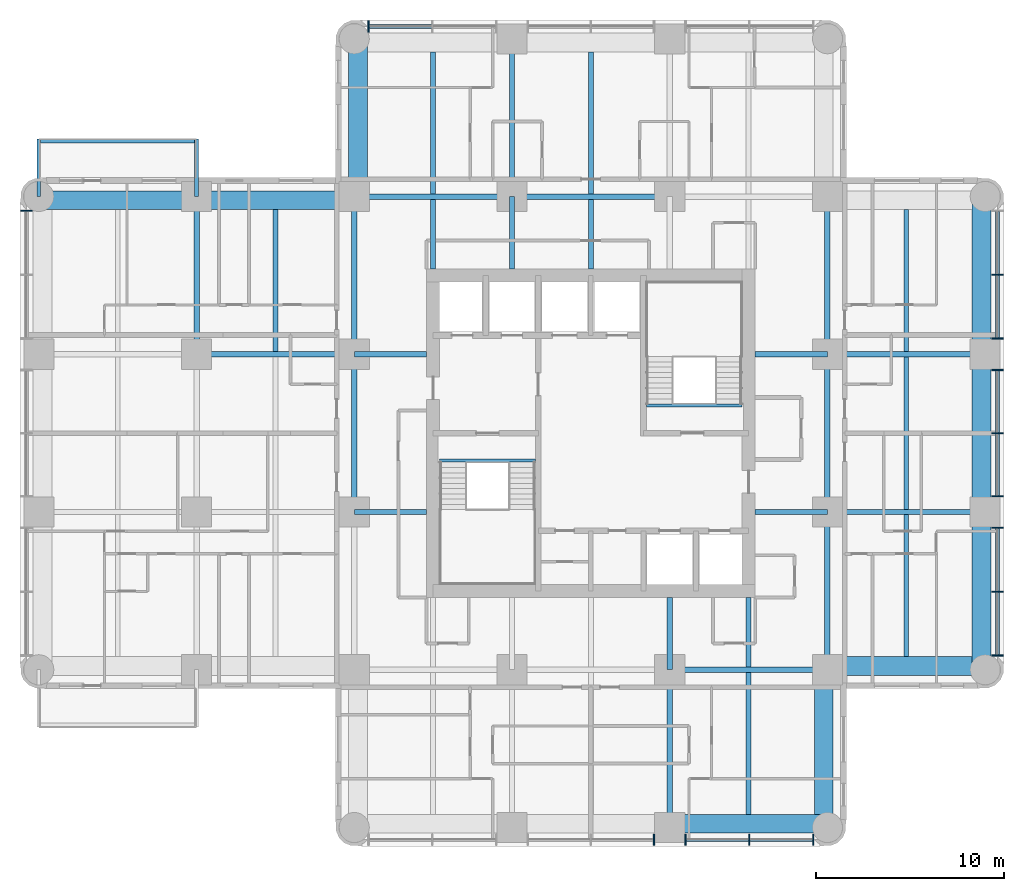
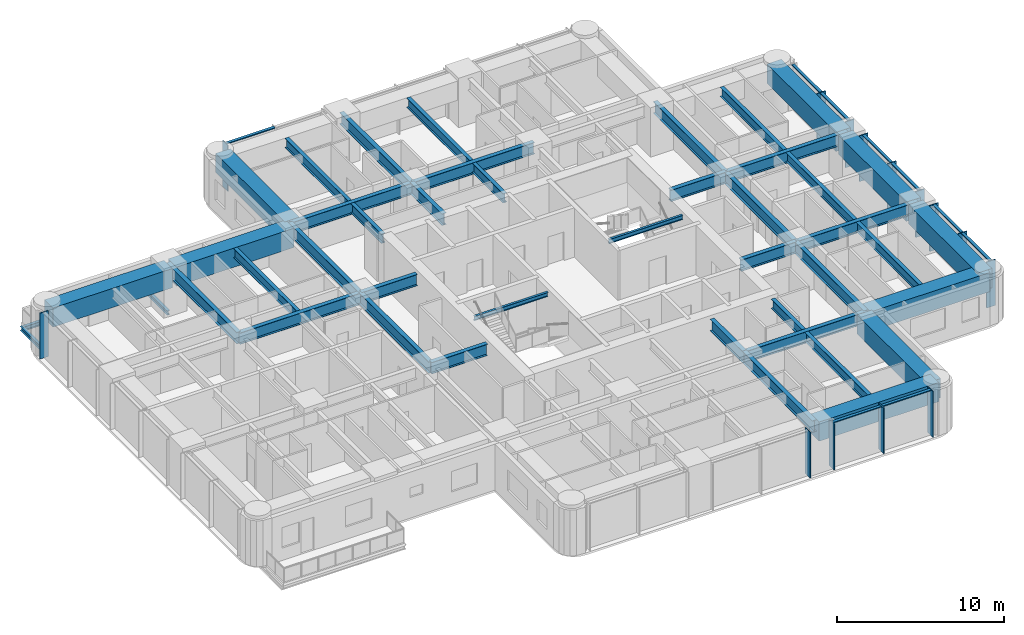
# One storey, part 2 of 11: 44 beams, 23 members, 4 elements without a shape of their own.
"""IFC4 building model written with IfcOpenShell, lengths in metres."""

from ifc_helpers import new_model, si_unit, direction, frame, origin, origin_2d, place, context, subcontext, project, spatial, rectangle, i_section, extrude, material, material_profile, profile_set, type_object, element, aggregate, save


model = new_model("IFC4")

# Units and contexts
model_context = context("Model", 3, precision=1e-05, world=origin(), true_north=direction((0.0, 1.0)))
body_context = subcontext(model_context, "Body", "Model", "MODEL_VIEW")
ifc_project = project(units=[si_unit("LENGTHUNIT", "METRE"), si_unit("AREAUNIT", "SQUARE_METRE"), si_unit("VOLUMEUNIT", "CUBIC_METRE"), si_unit("PLANEANGLEUNIT", "RADIAN"), si_unit("MASSUNIT", "GRAM", prefix="KILO")], contexts=[model_context])

# Site, building, storey
site_placement = place(None, origin())
site = spatial("IfcSite", under=ifc_project, at=site_placement, CompositionType="ELEMENT")
building_placement = place(site_placement, origin())
building = spatial("IfcBuilding", under=site, at=building_placement, Name="Torre Alcanfor", CompositionType="ELEMENT")
storey_placement = place(building_placement, frame((0.0, 0.0, 244.5)))
storey = spatial("IfcBuildingStorey", under=building, at=storey_placement, Name="L64", CompositionType="ELEMENT", Elevation=244.5)

# Beams
ifc_material_1 = material(Name="Steel ASTM A992 Grade 50", Category="steel")
ifc_material_profile_1 = material_profile(ifc_material_1, i_section(OverallWidth=0.205322265625, OverallDepth=0.309814453125, WebThickness=0.00927734375, FlangeThickness=0.016357421875, at=origin_2d()), Name="W12x50")
ifc_profile_set_1 = profile_set([ifc_material_profile_1], Name="Steel ASTM A992 Grade 50")
beam_type_1 = type_object("IfcBeamType", Name="Balcony cantilever beam W12x50", PredefinedType="BEAM", material=ifc_profile_set_1)
for number, where, z_axis, x_axis, name in (
    (1, (8.39990234375, 42.0, -0.35498046875), (0.0, 1.0, 0.0), (-1.0, 0.0, 0.0), "Balcony cantilever beam L64-W2 1"),
    (2, (0.0, 42.0, -0.35498046875), (0.0, 1.0, 0.0), (-1.0, 0.0, 0.0), "Balcony cantilever beam L64-W2 2"),
):
    element("IfcBeam", number, at=place(storey_placement, frame(where, z_axis=z_axis, x_axis=x_axis)), inside=storey, type_object=beam_type_1, Name=name, PredefinedType="BEAM", context=body_context, shape_type="SweptSolid", body=[
        extrude(i_section(OverallWidth=0.205322265625, OverallDepth=0.309814453125, WebThickness=0.00927734375, FlangeThickness=0.016357421875, at=origin_2d()), origin(), (0.0, 0.0, 1.0), 3.050048828125),
    ])
ifc_material_2 = material(Name="Steel ASTM A992 Grade 50", Category="steel")
ifc_material_profile_2 = material_profile(ifc_material_2, i_section(OverallWidth=0.203369140625, OverallDepth=0.30224609375, WebThickness=0.007568359375, FlangeThickness=0.01318359375, at=origin_2d()), Name="W12x40")
ifc_profile_set_2 = profile_set([ifc_material_profile_2], Name="Steel ASTM A992 Grade 50")
beam_type_2 = type_object("IfcBeamType", Name="Balcony edge trimmer W12x40", PredefinedType="BEAM", material=ifc_profile_set_2)
beam_1_placement = place(storey_placement, frame((8.39990234375, 44.9482421875, -0.35107421875), z_axis=(-1.0, 0.0, 0.0), x_axis=(0.0, -1.0, 0.0)))
element("IfcBeam", 3, at=beam_1_placement, inside=storey, type_object=beam_type_2, Name="Balcony edge trimmer L64-W2", PredefinedType="BEAM", context=body_context, shape_type="SweptSolid", body=[
    extrude(i_section(OverallWidth=0.203369140625, OverallDepth=0.30224609375, WebThickness=0.007568359375, FlangeThickness=0.01318359375, at=origin_2d()), origin(), (0.0, 0.0, 1.0), 8.39990234375),
])

# Curtain wall, member
ifc_material_3 = material(Name="Aluminium and glass", Category="aluminium")
curtain_wall_type = type_object("IfcCurtainWallType", Name="CW-A unitised apartment glazing with vertical FIN", PredefinedType="NOTDEFINED", material=ifc_material_3)
curtain_wall_1_placement = place(storey_placement, origin())
curtain_wall_1 = element("IfcCurtainWall", 4, at=curtain_wall_1_placement, inside=storey, type_object=curtain_wall_type, Name="Curtain wall CW-A L64 2", PredefinedType="NOTDEFINED")
ifc_material_4 = material(Name="Bronze anodised aluminium", Category="aluminium")
ifc_material_profile_3 = material_profile(ifc_material_4, rectangle(XDim=0.60009765625, YDim=0.06494140625, at=origin_2d()), Name="CW-A mullion 65x600")
ifc_profile_set_3 = profile_set([ifc_material_profile_3], Name="Bronze anodised aluminium")
member_type_1 = type_object("IfcMemberType", Name="CW-A mullion with vertical FIN 65x600", PredefinedType="MULLION", material=ifc_profile_set_3)
member_1_placement = place(storey_placement, frame((-0.64990234375, 41.24267578125, 0.0), z_axis=(0.0, 0.0, 1.0), x_axis=(1.0, 0.0, 0.0)))
member_1 = element("IfcMember", 5, at=member_1_placement, type_object=member_type_1, Name="CW-A mullion 1.1", PredefinedType="MULLION", context=body_context, shape_type="SweptSolid", body=[
    extrude(rectangle(XDim=0.60009765625, YDim=0.06494140625, at=origin_2d()), origin(), (0.0, 0.0, 1.0), 3.35009765625),
])
aggregate(curtain_wall_1, [member_1])

# Curtain wall, members
curtain_wall_2_placement = place(storey_placement, origin())
curtain_wall_2 = element("IfcCurtainWall", 6, at=curtain_wall_2_placement, inside=storey, type_object=curtain_wall_type, Name="Curtain wall CW-A L64 5", PredefinedType="NOTDEFINED")
member_2_placement = place(storey_placement, frame((32.762451171875, 7.75, 0.0), z_axis=(0.0, 0.0, 1.0), x_axis=(0.0, 1.0, 0.0)))
member_2 = element("IfcMember", 7, at=member_2_placement, type_object=member_type_1, Name="CW-A mullion 2.3", PredefinedType="MULLION", context=body_context, shape_type="SweptSolid", body=[
    extrude(rectangle(XDim=0.60009765625, YDim=0.06494140625, at=origin_2d()), origin(), (0.0, 0.0, 1.0), 3.35009765625),
])
member_3_placement = place(storey_placement, frame((34.4375, 7.75, 0.0), z_axis=(0.0, 0.0, 1.0), x_axis=(0.0, 1.0, 0.0)))
member_3 = element("IfcMember", 8, at=member_3_placement, type_object=member_type_1, Name="CW-A mullion 3.1", PredefinedType="MULLION", context=body_context, shape_type="SweptSolid", body=[
    extrude(rectangle(XDim=0.60009765625, YDim=0.06494140625, at=origin_2d()), origin(), (0.0, 0.0, 1.0), 3.35009765625),
])
member_4_placement = place(storey_placement, frame((37.840087890625, 7.75, 0.0), z_axis=(0.0, 0.0, 1.0), x_axis=(0.0, 1.0, 0.0)))
member_4 = element("IfcMember", 9, at=member_4_placement, type_object=member_type_1, Name="CW-A mullion 3.2", PredefinedType="MULLION", context=body_context, shape_type="SweptSolid", body=[
    extrude(rectangle(XDim=0.60009765625, YDim=0.06494140625, at=origin_2d()), origin(), (0.0, 0.0, 1.0), 3.35009765625),
])
member_5_placement = place(storey_placement, frame((41.24267578125, 7.75, 0.0), z_axis=(0.0, 0.0, 1.0), x_axis=(0.0, 1.0, 0.0)))
member_5 = element("IfcMember", 10, at=member_5_placement, type_object=member_type_1, Name="CW-A mullion 3.3", PredefinedType="MULLION", context=body_context, shape_type="SweptSolid", body=[
    extrude(rectangle(XDim=0.60009765625, YDim=0.06494140625, at=origin_2d()), origin(), (0.0, 0.0, 1.0), 3.35009765625),
])

curtain_wall_3_placement = place(storey_placement, origin())
curtain_wall_3 = element("IfcCurtainWall", 11, at=curtain_wall_3_placement, inside=storey, type_object=curtain_wall_type, Name="Curtain wall CW-A L64 8", PredefinedType="NOTDEFINED")
member_6_placement = place(storey_placement, frame((51.050048828125, 17.557373046875, 0.0), z_axis=(0.0, 0.0, 1.0), x_axis=(-1.0, 0.0, 0.0)))
member_6 = element("IfcMember", 12, at=member_6_placement, type_object=member_type_1, Name="CW-A mullion 1.1", PredefinedType="MULLION", context=body_context, shape_type="SweptSolid", body=[
    extrude(rectangle(XDim=0.60009765625, YDim=0.06494140625, at=origin_2d()), origin(), (0.0, 0.0, 1.0), 3.35009765625),
])
member_7_placement = place(storey_placement, frame((51.050048828125, 20.9599609375, 0.0), z_axis=(0.0, 0.0, 1.0), x_axis=(-1.0, 0.0, 0.0)))
member_7 = element("IfcMember", 13, at=member_7_placement, type_object=member_type_1, Name="CW-A mullion 1.2", PredefinedType="MULLION", context=body_context, shape_type="SweptSolid", body=[
    extrude(rectangle(XDim=0.60009765625, YDim=0.06494140625, at=origin_2d()), origin(), (0.0, 0.0, 1.0), 3.35009765625),
])
member_8_placement = place(storey_placement, frame((51.050048828125, 24.362548828125, 0.0), z_axis=(0.0, 0.0, 1.0), x_axis=(-1.0, 0.0, 0.0)))
member_8 = element("IfcMember", 14, at=member_8_placement, type_object=member_type_1, Name="CW-A mullion 1.3", PredefinedType="MULLION", context=body_context, shape_type="SweptSolid", body=[
    extrude(rectangle(XDim=0.60009765625, YDim=0.06494140625, at=origin_2d()), origin(), (0.0, 0.0, 1.0), 3.35009765625),
])
member_9_placement = place(storey_placement, frame((51.050048828125, 26.03759765625, 0.0), z_axis=(0.0, 0.0, 1.0), x_axis=(-1.0, 0.0, 0.0)))
member_9 = element("IfcMember", 15, at=member_9_placement, type_object=member_type_1, Name="CW-A mullion 2.1", PredefinedType="MULLION", context=body_context, shape_type="SweptSolid", body=[
    extrude(rectangle(XDim=0.60009765625, YDim=0.06494140625, at=origin_2d()), origin(), (0.0, 0.0, 1.0), 3.35009765625),
])
member_10_placement = place(storey_placement, frame((51.050048828125, 29.39990234375, 0.0), z_axis=(0.0, 0.0, 1.0), x_axis=(-1.0, 0.0, 0.0)))
member_10 = element("IfcMember", 16, at=member_10_placement, type_object=member_type_1, Name="CW-A mullion 2.2", PredefinedType="MULLION", context=body_context, shape_type="SweptSolid", body=[
    extrude(rectangle(XDim=0.60009765625, YDim=0.06494140625, at=origin_2d()), origin(), (0.0, 0.0, 1.0), 3.35009765625),
])
member_11_placement = place(storey_placement, frame((51.050048828125, 32.762451171875, 0.0), z_axis=(0.0, 0.0, 1.0), x_axis=(-1.0, 0.0, 0.0)))
member_11 = element("IfcMember", 17, at=member_11_placement, type_object=member_type_1, Name="CW-A mullion 2.3", PredefinedType="MULLION", context=body_context, shape_type="SweptSolid", body=[
    extrude(rectangle(XDim=0.60009765625, YDim=0.06494140625, at=origin_2d()), origin(), (0.0, 0.0, 1.0), 3.35009765625),
])
member_12_placement = place(storey_placement, frame((51.050048828125, 34.4375, 0.0), z_axis=(0.0, 0.0, 1.0), x_axis=(-1.0, 0.0, 0.0)))
member_12 = element("IfcMember", 18, at=member_12_placement, type_object=member_type_1, Name="CW-A mullion 3.1", PredefinedType="MULLION", context=body_context, shape_type="SweptSolid", body=[
    extrude(rectangle(XDim=0.60009765625, YDim=0.06494140625, at=origin_2d()), origin(), (0.0, 0.0, 1.0), 3.35009765625),
])
member_13_placement = place(storey_placement, frame((51.050048828125, 37.840087890625, 0.0), z_axis=(0.0, 0.0, 1.0), x_axis=(-1.0, 0.0, 0.0)))
member_13 = element("IfcMember", 19, at=member_13_placement, type_object=member_type_1, Name="CW-A mullion 3.2", PredefinedType="MULLION", context=body_context, shape_type="SweptSolid", body=[
    extrude(rectangle(XDim=0.60009765625, YDim=0.06494140625, at=origin_2d()), origin(), (0.0, 0.0, 1.0), 3.35009765625),
])

# Curtain wall, member
curtain_wall_4_placement = place(storey_placement, origin())
curtain_wall_4 = element("IfcCurtainWall", 20, at=curtain_wall_4_placement, inside=storey, type_object=curtain_wall_type, Name="Curtain wall CW-A L64 11", PredefinedType="NOTDEFINED")
member_14_placement = place(storey_placement, frame((17.557373046875, 51.050048828125, 0.0), z_axis=(0.0, 0.0, 1.0), x_axis=(0.0, -1.0, 0.0)))
member_14 = element("IfcMember", 21, at=member_14_placement, type_object=member_type_1, Name="CW-A mullion 3.3", PredefinedType="MULLION", context=body_context, shape_type="SweptSolid", body=[
    extrude(rectangle(XDim=0.60009765625, YDim=0.06494140625, at=origin_2d()), origin(), (0.0, 0.0, 1.0), 3.35009765625),
])

# Member
ifc_material_5 = material(Name="Extruded aluminium", Category="aluminium")
ifc_material_profile_4 = material_profile(ifc_material_5, rectangle(XDim=0.199951171875, YDim=0.06494140625, at=origin_2d()), Name="CW-A transom 200x65")
ifc_profile_set_4 = profile_set([ifc_material_profile_4], Name="Extruded aluminium")
member_type_2 = type_object("IfcMemberType", Name="CW-A transom 65x200", PredefinedType="USERDEFINED", material=ifc_profile_set_4)
member_15_placement = place(storey_placement, frame((34.469970703125, 7.75, 3.3173828125), z_axis=(1.0, 0.0, 0.0), x_axis=(0.0, 1.0, 0.0)))
member_15 = element("IfcMember", 22, at=member_15_placement, type_object=member_type_2, Name="CW-A transom 3.1.2", ObjectType="TRANSOM", PredefinedType="USERDEFINED", context=body_context, shape_type="SweptSolid", body=[
    extrude(rectangle(XDim=0.199951171875, YDim=0.06494140625, at=origin_2d()), origin(), (0.0, 0.0, 1.0), 3.337646484375),
])

member_16_placement = place(storey_placement, frame((37.87255859375, 7.75, 3.3173828125), z_axis=(1.0, 0.0, 0.0), x_axis=(0.0, 1.0, 0.0)))
member_16 = element("IfcMember", 23, at=member_16_placement, type_object=member_type_2, Name="CW-A transom 3.2.2", ObjectType="TRANSOM", PredefinedType="USERDEFINED", context=body_context, shape_type="SweptSolid", body=[
    extrude(rectangle(XDim=0.199951171875, YDim=0.06494140625, at=origin_2d()), origin(), (0.0, 0.0, 1.0), 3.337646484375),
])

aggregate(curtain_wall_2, [member_2, member_3, member_4, member_5, member_15, member_16])

member_17_placement = place(storey_placement, frame((51.050048828125, 17.58984375, 3.3173828125), z_axis=(0.0, 1.0, 0.0), x_axis=(-1.0, 0.0, 0.0)))
member_17 = element("IfcMember", 24, at=member_17_placement, type_object=member_type_2, Name="CW-A transom 1.1.2", ObjectType="TRANSOM", PredefinedType="USERDEFINED", context=body_context, shape_type="SweptSolid", body=[
    extrude(rectangle(XDim=0.199951171875, YDim=0.06494140625, at=origin_2d()), origin(), (0.0, 0.0, 1.0), 3.337646484375),
])

member_18_placement = place(storey_placement, frame((51.050048828125, 20.992431640625, 3.3173828125), z_axis=(0.0, 1.0, 0.0), x_axis=(-1.0, 0.0, 0.0)))
member_18 = element("IfcMember", 25, at=member_18_placement, type_object=member_type_2, Name="CW-A transom 1.2.2", ObjectType="TRANSOM", PredefinedType="USERDEFINED", context=body_context, shape_type="SweptSolid", body=[
    extrude(rectangle(XDim=0.199951171875, YDim=0.06494140625, at=origin_2d()), origin(), (0.0, 0.0, 1.0), 3.337646484375),
])

member_19_placement = place(storey_placement, frame((51.050048828125, 26.070068359375, 3.3173828125), z_axis=(0.0, 1.0, 0.0), x_axis=(-1.0, 0.0, 0.0)))
member_19 = element("IfcMember", 26, at=member_19_placement, type_object=member_type_2, Name="CW-A transom 2.1.2", ObjectType="TRANSOM", PredefinedType="USERDEFINED", context=body_context, shape_type="SweptSolid", body=[
    extrude(rectangle(XDim=0.199951171875, YDim=0.06494140625, at=origin_2d()), origin(), (0.0, 0.0, 1.0), 3.29736328125),
])

member_20_placement = place(storey_placement, frame((51.050048828125, 29.4326171875, 3.3173828125), z_axis=(0.0, 1.0, 0.0), x_axis=(-1.0, 0.0, 0.0)))
member_20 = element("IfcMember", 27, at=member_20_placement, type_object=member_type_2, Name="CW-A transom 2.2.2", ObjectType="TRANSOM", PredefinedType="USERDEFINED", context=body_context, shape_type="SweptSolid", body=[
    extrude(rectangle(XDim=0.199951171875, YDim=0.06494140625, at=origin_2d()), origin(), (0.0, 0.0, 1.0), 3.29736328125),
])

member_21_placement = place(storey_placement, frame((51.050048828125, 34.469970703125, 3.3173828125), z_axis=(0.0, 1.0, 0.0), x_axis=(-1.0, 0.0, 0.0)))
member_21 = element("IfcMember", 28, at=member_21_placement, type_object=member_type_2, Name="CW-A transom 3.1.2", ObjectType="TRANSOM", PredefinedType="USERDEFINED", context=body_context, shape_type="SweptSolid", body=[
    extrude(rectangle(XDim=0.199951171875, YDim=0.06494140625, at=origin_2d()), origin(), (0.0, 0.0, 1.0), 3.337646484375),
])

member_22_placement = place(storey_placement, frame((51.050048828125, 37.87255859375, 3.3173828125), z_axis=(0.0, 1.0, 0.0), x_axis=(-1.0, 0.0, 0.0)))
member_22 = element("IfcMember", 29, at=member_22_placement, type_object=member_type_2, Name="CW-A transom 3.2.2", ObjectType="TRANSOM", PredefinedType="USERDEFINED", context=body_context, shape_type="SweptSolid", body=[
    extrude(rectangle(XDim=0.199951171875, YDim=0.06494140625, at=origin_2d()), origin(), (0.0, 0.0, 1.0), 3.337646484375),
])

aggregate(curtain_wall_3, [member_6, member_7, member_8, member_17, member_18, member_9, member_10, member_11, member_19, member_20, member_12, member_13, member_21, member_22])

member_23_placement = place(storey_placement, frame((20.927490234375, 51.050048828125, 3.3173828125), z_axis=(-1.0, 0.0, 0.0), x_axis=(0.0, -1.0, 0.0)))
member_23 = element("IfcMember", 30, at=member_23_placement, type_object=member_type_2, Name="CW-A transom 3.2.2", ObjectType="TRANSOM", PredefinedType="USERDEFINED", context=body_context, shape_type="SweptSolid", body=[
    extrude(rectangle(XDim=0.199951171875, YDim=0.06494140625, at=origin_2d()), origin(), (0.0, 0.0, 1.0), 3.337646484375),
])

aggregate(curtain_wall_4, [member_14, member_23])

# Beams
ifc_material_6 = material(Name="Steel ASTM A992 Grade 50", Category="steel")
ifc_material_profile_5 = material_profile(ifc_material_6, i_section(OverallWidth=0.2919921875, OverallDepth=0.8408203125, WebThickness=0.0146484375, FlangeThickness=0.021728515625, at=origin_2d()), Name="W33x130")
ifc_profile_set_5 = profile_set([ifc_material_profile_5], Name="Steel ASTM A992 Grade 50")
beam_type_3 = type_object("IfcBeamType", Name="Girder W33x130", PredefinedType="BEAM", material=ifc_profile_set_5)
for number, where, z_axis, x_axis, name in (
    (31, (33.60009765625, 16.800048828125, 2.9296875), (1.0, 0.0, 0.0), (0.0, 1.0, 0.0), "Beam 5E-6E under L65"),
    (32, (42.0, 25.199951171875, 2.9296875), (1.0, 0.0, 0.0), (0.0, 1.0, 0.0), "Beam 6F-7F under L65"),
):
    element("IfcBeam", number, at=place(storey_placement, frame(where, z_axis=z_axis, x_axis=x_axis)), inside=storey, type_object=beam_type_3, Name=name, PredefinedType="BEAM", context=body_context, shape_type="SweptSolid", body=[
        extrude(i_section(OverallWidth=0.2919921875, OverallDepth=0.8408203125, WebThickness=0.0146484375, FlangeThickness=0.021728515625, at=origin_2d()), origin(), (0.0, 0.0, 1.0), 8.39990234375),
    ])
beam_2_placement = place(storey_placement, frame((8.39990234375, 33.60009765625, 2.9296875), z_axis=(1.0, 0.0, 0.0), x_axis=(0.0, 1.0, 0.0)))
element("IfcBeam", 33, at=beam_2_placement, inside=storey, type_object=beam_type_3, Name="Beam 2G-3G under L65", PredefinedType="BEAM", context=body_context, shape_type="SweptSolid", body=[
    extrude(i_section(OverallWidth=0.2919921875, OverallDepth=0.8408203125, WebThickness=0.0146484375, FlangeThickness=0.021728515625, at=origin_2d()), origin(), (0.0, 0.0, 1.0), 8.400146484375),
])
for number, where, z_axis, x_axis, name in (
    (34, (42.0, 33.60009765625, 2.9296875), (1.0, 0.0, 0.0), (0.0, 1.0, 0.0), "Beam 6G-7G under L65"),
    (35, (16.800048828125, 42.0, 2.9296875), (1.0, 0.0, 0.0), (0.0, 1.0, 0.0), "Beam 3H-4H under L65"),
):
    element("IfcBeam", number, at=place(storey_placement, frame(where, z_axis=z_axis, x_axis=x_axis)), inside=storey, type_object=beam_type_3, Name=name, PredefinedType="BEAM", context=body_context, shape_type="SweptSolid", body=[
        extrude(i_section(OverallWidth=0.2919921875, OverallDepth=0.8408203125, WebThickness=0.0146484375, FlangeThickness=0.021728515625, at=origin_2d()), origin(), (0.0, 0.0, 1.0), 8.39990234375),
    ])
beam_3_placement = place(storey_placement, frame((25.199951171875, 42.0, 2.9296875), z_axis=(1.0, 0.0, 0.0), x_axis=(0.0, 1.0, 0.0)))
element("IfcBeam", 36, at=beam_3_placement, inside=storey, type_object=beam_type_3, Name="Beam 4H-5H under L65", PredefinedType="BEAM", context=body_context, shape_type="SweptSolid", body=[
    extrude(i_section(OverallWidth=0.2919921875, OverallDepth=0.8408203125, WebThickness=0.0146484375, FlangeThickness=0.021728515625, at=origin_2d()), origin(), (0.0, 0.0, 1.0), 8.400146484375),
])
beam_4_placement = place(storey_placement, frame((8.39990234375, 33.60009765625, 2.9296875), z_axis=(0.0, 1.0, 0.0), x_axis=(-1.0, 0.0, 0.0)))
element("IfcBeam", 37, at=beam_4_placement, inside=storey, type_object=beam_type_3, Name="Beam 2G-2H under L65", PredefinedType="BEAM", context=body_context, shape_type="SweptSolid", body=[
    extrude(i_section(OverallWidth=0.2919921875, OverallDepth=0.8408203125, WebThickness=0.0146484375, FlangeThickness=0.021728515625, at=origin_2d()), origin(), (0.0, 0.0, 1.0), 8.39990234375),
])
beam_5_placement = place(storey_placement, frame((16.800048828125, 25.199951171875, 2.9296875), z_axis=(0.0, 1.0, 0.0), x_axis=(-1.0, 0.0, 0.0)))
element("IfcBeam", 38, at=beam_5_placement, inside=storey, type_object=beam_type_3, Name="Beam 3F-3G under L65", PredefinedType="BEAM", context=body_context, shape_type="SweptSolid", body=[
    extrude(i_section(OverallWidth=0.2919921875, OverallDepth=0.8408203125, WebThickness=0.0146484375, FlangeThickness=0.021728515625, at=origin_2d()), origin(), (0.0, 0.0, 1.0), 8.400146484375),
])
for number, where, z_axis, x_axis, name in (
    (39, (16.800048828125, 33.60009765625, 2.9296875), (0.0, 1.0, 0.0), (-1.0, 0.0, 0.0), "Beam 3G-3H under L65"),
    (40, (25.199951171875, 42.0, 2.9296875), (0.0, 1.0, 0.0), (-1.0, 0.0, 0.0), "Beam 4H-4J under L65"),
):
    element("IfcBeam", number, at=place(storey_placement, frame(where, z_axis=z_axis, x_axis=x_axis)), inside=storey, type_object=beam_type_3, Name=name, PredefinedType="BEAM", context=body_context, shape_type="SweptSolid", body=[
        extrude(i_section(OverallWidth=0.2919921875, OverallDepth=0.8408203125, WebThickness=0.0146484375, FlangeThickness=0.021728515625, at=origin_2d()), origin(), (0.0, 0.0, 1.0), 8.39990234375),
    ])
beam_6_placement = place(storey_placement, frame((33.60009765625, 8.39990234375, 2.9296875), z_axis=(0.0, 1.0, 0.0), x_axis=(-1.0, 0.0, 0.0)))
element("IfcBeam", 41, at=beam_6_placement, inside=storey, type_object=beam_type_3, Name="Beam 5D-5E under L65", PredefinedType="BEAM", context=body_context, shape_type="SweptSolid", body=[
    extrude(i_section(OverallWidth=0.2919921875, OverallDepth=0.8408203125, WebThickness=0.0146484375, FlangeThickness=0.021728515625, at=origin_2d()), origin(), (0.0, 0.0, 1.0), 8.400146484375),
])
beam_7_placement = place(storey_placement, frame((42.0, 16.800048828125, 2.9296875), z_axis=(0.0, 1.0, 0.0), x_axis=(-1.0, 0.0, 0.0)))
element("IfcBeam", 42, at=beam_7_placement, inside=storey, type_object=beam_type_3, Name="Beam 6E-6F under L65", PredefinedType="BEAM", context=body_context, shape_type="SweptSolid", body=[
    extrude(i_section(OverallWidth=0.2919921875, OverallDepth=0.8408203125, WebThickness=0.0146484375, FlangeThickness=0.021728515625, at=origin_2d()), origin(), (0.0, 0.0, 1.0), 8.39990234375),
])
beam_8_placement = place(storey_placement, frame((42.0, 25.199951171875, 2.9296875), z_axis=(0.0, 1.0, 0.0), x_axis=(-1.0, 0.0, 0.0)))
element("IfcBeam", 43, at=beam_8_placement, inside=storey, type_object=beam_type_3, Name="Beam 6F-6G under L65", PredefinedType="BEAM", context=body_context, shape_type="SweptSolid", body=[
    extrude(i_section(OverallWidth=0.2919921875, OverallDepth=0.8408203125, WebThickness=0.0146484375, FlangeThickness=0.021728515625, at=origin_2d()), origin(), (0.0, 0.0, 1.0), 8.400146484375),
])
beam_9_placement = place(storey_placement, frame((42.0, 33.60009765625, 2.9296875), z_axis=(0.0, 1.0, 0.0), x_axis=(-1.0, 0.0, 0.0)))
element("IfcBeam", 44, at=beam_9_placement, inside=storey, type_object=beam_type_3, Name="Beam 6G-6H under L65", PredefinedType="BEAM", context=body_context, shape_type="SweptSolid", body=[
    extrude(i_section(OverallWidth=0.2919921875, OverallDepth=0.8408203125, WebThickness=0.0146484375, FlangeThickness=0.021728515625, at=origin_2d()), origin(), (0.0, 0.0, 1.0), 8.39990234375),
])
ifc_material_7 = material(Name="Steel ASTM A992 Grade 50", Category="steel")
ifc_material_profile_6 = material_profile(ifc_material_7, i_section(OverallWidth=0.2919921875, OverallDepth=0.8408203125, WebThickness=0.0146484375, FlangeThickness=0.021728515625, at=origin_2d()), Name="W33x130")
ifc_profile_set_6 = profile_set([ifc_material_profile_6], Name="Steel ASTM A992 Grade 50")
beam_type_4 = type_object("IfcBeamType", Name="Girder, part bay W33x130", PredefinedType="BEAM", material=ifc_profile_set_6)
beam_10_placement = place(storey_placement, frame((25.199951171875, 42.0, 2.9296875), z_axis=(0.0, -1.0, 0.0), x_axis=(1.0, 0.0, 0.0)))
element("IfcBeam", 45, at=beam_10_placement, inside=storey, type_object=beam_type_4, Name="Beam 4H-438_15 under L65", PredefinedType="BEAM", context=body_context, shape_type="SweptSolid", body=[
    extrude(i_section(OverallWidth=0.2919921875, OverallDepth=0.8408203125, WebThickness=0.0146484375, FlangeThickness=0.021728515625, at=origin_2d()), origin(), (0.0, 0.0, 1.0), 3.85009765625),
])
for number, where, z_axis, x_axis, name in (
    (46, (33.60009765625, 16.800048828125, 2.9296875), (0.0, 1.0, 0.0), (-1.0, 0.0, 0.0), "Beam 5E-520_65 under L65"),
    (47, (16.800048828125, 25.199951171875, 2.9296875), (1.0, 0.0, 0.0), (0.0, 1.0, 0.0), "Beam 3F-20_65F under L65"),
):
    element("IfcBeam", number, at=place(storey_placement, frame(where, z_axis=z_axis, x_axis=x_axis)), inside=storey, type_object=beam_type_4, Name=name, PredefinedType="BEAM", context=body_context, shape_type="SweptSolid", body=[
        extrude(i_section(OverallWidth=0.2919921875, OverallDepth=0.8408203125, WebThickness=0.0146484375, FlangeThickness=0.021728515625, at=origin_2d()), origin(), (0.0, 0.0, 1.0), 3.849853515625),
    ])
beam_11_placement = place(storey_placement, frame((42.0, 25.199951171875, 2.9296875), z_axis=(-1.0, 0.0, 0.0), x_axis=(0.0, -1.0, 0.0)))
element("IfcBeam", 48, at=beam_11_placement, inside=storey, type_object=beam_type_4, Name="Beam 6F-38_15F under L65", PredefinedType="BEAM", context=body_context, shape_type="SweptSolid", body=[
    extrude(i_section(OverallWidth=0.2919921875, OverallDepth=0.8408203125, WebThickness=0.0146484375, FlangeThickness=0.021728515625, at=origin_2d()), origin(), (0.0, 0.0, 1.0), 3.85009765625),
])
beam_12_placement = place(storey_placement, frame((16.800048828125, 33.60009765625, 2.9296875), z_axis=(1.0, 0.0, 0.0), x_axis=(0.0, 1.0, 0.0)))
element("IfcBeam", 49, at=beam_12_placement, inside=storey, type_object=beam_type_4, Name="Beam 3G-20_65G under L65", PredefinedType="BEAM", context=body_context, shape_type="SweptSolid", body=[
    extrude(i_section(OverallWidth=0.2919921875, OverallDepth=0.8408203125, WebThickness=0.0146484375, FlangeThickness=0.021728515625, at=origin_2d()), origin(), (0.0, 0.0, 1.0), 3.849853515625),
])
beam_13_placement = place(storey_placement, frame((42.0, 33.60009765625, 2.9296875), z_axis=(-1.0, 0.0, 0.0), x_axis=(0.0, -1.0, 0.0)))
element("IfcBeam", 50, at=beam_13_placement, inside=storey, type_object=beam_type_4, Name="Beam 6G-38_15G under L65", PredefinedType="BEAM", context=body_context, shape_type="SweptSolid", body=[
    extrude(i_section(OverallWidth=0.2919921875, OverallDepth=0.8408203125, WebThickness=0.0146484375, FlangeThickness=0.021728515625, at=origin_2d()), origin(), (0.0, 0.0, 1.0), 3.85009765625),
])
ifc_material_8 = material(Name="Concrete f'c 70 MPa", Category="concrete")
ifc_material_profile_7 = material_profile(ifc_material_8, rectangle(XDim=1.0, YDim=1.39990234375, at=origin_2d()), Name="1000x1400")
ifc_profile_set_7 = profile_set([ifc_material_profile_7], Name="Concrete f'c 70 MPa")
beam_type_5 = type_object("IfcBeamType", Name="RC perimeter beam 1000x1400", PredefinedType="BEAM", material=ifc_profile_set_7)
for number, where, z_axis, x_axis, name in (
    (51, (33.74609375, 8.60009765625, 2.64990234375), (1.0, 0.0, 0.0), (0.0, 1.0, 0.0), "Beam 5D-6D under L65"),
    (52, (42.14599609375, 17.0, 2.64990234375), (1.0, 0.0, 0.0), (0.0, 1.0, 0.0), "Beam 6E-7E under L65"),
    (53, (0.0, 41.800048828125, 2.64990234375), (1.0, 0.0, 0.0), (0.0, 1.0, 0.0), "Beam 1H-2H under L65"),
):
    element("IfcBeam", number, at=place(storey_placement, frame(where, z_axis=z_axis, x_axis=x_axis)), inside=storey, type_object=beam_type_5, Name=name, PredefinedType="BEAM", context=body_context, shape_type="SweptSolid", body=[
        extrude(rectangle(XDim=1.0, YDim=1.39990234375, at=origin_2d()), origin(), (0.0, 0.0, 1.0), 8.25390625),
    ])
beam_14_placement = place(storey_placement, frame((8.5458984375, 41.800048828125, 2.64990234375), z_axis=(1.0, 0.0, 0.0), x_axis=(0.0, 1.0, 0.0)))
element("IfcBeam", 54, at=beam_14_placement, inside=storey, type_object=beam_type_5, Name="Beam 2H-3H under L65", PredefinedType="BEAM", context=body_context, shape_type="SweptSolid", body=[
    extrude(rectangle(XDim=1.0, YDim=1.39990234375, at=origin_2d()), origin(), (0.0, 0.0, 1.0), 8.108154296875),
])
beam_15_placement = place(storey_placement, frame((17.0, 42.14599609375, 2.64990234375), z_axis=(0.0, 1.0, 0.0), x_axis=(-1.0, 0.0, 0.0)))
element("IfcBeam", 55, at=beam_15_placement, inside=storey, type_object=beam_type_5, Name="Beam 3H-3J under L65", PredefinedType="BEAM", context=body_context, shape_type="SweptSolid", body=[
    extrude(rectangle(XDim=1.0, YDim=1.39990234375, at=origin_2d()), origin(), (0.0, 0.0, 1.0), 8.25390625),
])
beam_16_placement = place(storey_placement, frame((41.800048828125, 8.39990234375, 2.64990234375), z_axis=(0.0, 1.0, 0.0), x_axis=(-1.0, 0.0, 0.0)))
element("IfcBeam", 56, at=beam_16_placement, inside=storey, type_object=beam_type_5, Name="Beam 6D-6E under L65", PredefinedType="BEAM", context=body_context, shape_type="SweptSolid", body=[
    extrude(rectangle(XDim=1.0, YDim=1.39990234375, at=origin_2d()), origin(), (0.0, 0.0, 1.0), 8.254150390625),
])
beam_17_placement = place(storey_placement, frame((50.199951171875, 16.800048828125, 2.64990234375), z_axis=(0.0, 1.0, 0.0), x_axis=(-1.0, 0.0, 0.0)))
element("IfcBeam", 57, at=beam_17_placement, inside=storey, type_object=beam_type_5, Name="Beam 7E-7F under L65", PredefinedType="BEAM", context=body_context, shape_type="SweptSolid", body=[
    extrude(rectangle(XDim=1.0, YDim=1.39990234375, at=origin_2d()), origin(), (0.0, 0.0, 1.0), 8.25390625),
])
beam_18_placement = place(storey_placement, frame((50.199951171875, 25.345947265625, 2.64990234375), z_axis=(0.0, 1.0, 0.0), x_axis=(-1.0, 0.0, 0.0)))
element("IfcBeam", 58, at=beam_18_placement, inside=storey, type_object=beam_type_5, Name="Beam 7F-7G under L65", PredefinedType="BEAM", context=body_context, shape_type="SweptSolid", body=[
    extrude(rectangle(XDim=1.0, YDim=1.39990234375, at=origin_2d()), origin(), (0.0, 0.0, 1.0), 8.108154296875),
])
beam_19_placement = place(storey_placement, frame((50.199951171875, 33.74609375, 2.64990234375), z_axis=(0.0, 1.0, 0.0), x_axis=(-1.0, 0.0, 0.0)))
element("IfcBeam", 59, at=beam_19_placement, inside=storey, type_object=beam_type_5, Name="Beam 7G-7H under L65", PredefinedType="BEAM", context=body_context, shape_type="SweptSolid", body=[
    extrude(rectangle(XDim=1.0, YDim=1.39990234375, at=origin_2d()), origin(), (0.0, 0.0, 1.0), 8.25390625),
])
ifc_material_9 = material(Name="Steel ASTM A992 Grade 50", Category="steel")
ifc_material_profile_8 = material_profile(ifc_material_9, i_section(OverallWidth=0.25390625, OverallDepth=0.683349609375, WebThickness=0.012451171875, FlangeThickness=0.01904296875, at=origin_2d()), Name="W27x94")
ifc_profile_set_8 = profile_set([ifc_material_profile_8], Name="Steel ASTM A992 Grade 50")
beam_type_6 = type_object("IfcBeamType", Name="Secondary beam W27x94", PredefinedType="BEAM", material=ifc_profile_set_8)
for number, where, z_axis, x_axis, name in (
    (60, (12.60009765625, 33.74609375, 3.00830078125), (0.0, 1.0, 0.0), (-1.0, 0.0, 0.0), "Beam 12_6G-12_6H under L65"),
    (61, (21.0, 42.14599609375, 3.00830078125), (0.0, 1.0, 0.0), (-1.0, 0.0, 0.0), "Beam 21H-21J under L65"),
    (62, (29.39990234375, 42.14599609375, 3.00830078125), (0.0, 1.0, 0.0), (-1.0, 0.0, 0.0), "Beam 29_4H-29_4J under L65"),
    (63, (37.800048828125, 9.10009765625, 3.00830078125), (0.0, 1.0, 0.0), (-1.0, 0.0, 0.0), "Beam 37_8D-37_8E under L65"),
    (64, (46.199951171875, 17.5, 3.00830078125), (0.0, 1.0, 0.0), (-1.0, 0.0, 0.0), "Beam 46_2E-46_2F under L65"),
):
    element("IfcBeam", number, at=place(storey_placement, frame(where, z_axis=z_axis, x_axis=x_axis)), inside=storey, type_object=beam_type_6, Name=name, PredefinedType="BEAM", context=body_context, shape_type="SweptSolid", body=[
        extrude(i_section(OverallWidth=0.25390625, OverallDepth=0.683349609375, WebThickness=0.012451171875, FlangeThickness=0.01904296875, at=origin_2d()), origin(), (0.0, 0.0, 1.0), 7.553955078125),
    ])
beam_20_placement = place(storey_placement, frame((46.199951171875, 25.345947265625, 3.00830078125), z_axis=(0.0, 1.0, 0.0), x_axis=(-1.0, 0.0, 0.0)))
element("IfcBeam", 65, at=beam_20_placement, inside=storey, type_object=beam_type_6, Name="Beam 46_2F-46_2G under L65", PredefinedType="BEAM", context=body_context, shape_type="SweptSolid", body=[
    extrude(i_section(OverallWidth=0.25390625, OverallDepth=0.683349609375, WebThickness=0.012451171875, FlangeThickness=0.01904296875, at=origin_2d()), origin(), (0.0, 0.0, 1.0), 8.108154296875),
])
beam_21_placement = place(storey_placement, frame((46.199951171875, 33.74609375, 3.00830078125), z_axis=(0.0, 1.0, 0.0), x_axis=(-1.0, 0.0, 0.0)))
element("IfcBeam", 66, at=beam_21_placement, inside=storey, type_object=beam_type_6, Name="Beam 46_2G-46_2H under L65", PredefinedType="BEAM", context=body_context, shape_type="SweptSolid", body=[
    extrude(i_section(OverallWidth=0.25390625, OverallDepth=0.683349609375, WebThickness=0.012451171875, FlangeThickness=0.01904296875, at=origin_2d()), origin(), (0.0, 0.0, 1.0), 7.553955078125),
])
ifc_material_10 = material(Name="Steel ASTM A992 Grade 50", Category="steel")
ifc_material_profile_9 = material_profile(ifc_material_10, i_section(OverallWidth=0.25390625, OverallDepth=0.683349609375, WebThickness=0.012451171875, FlangeThickness=0.01904296875, at=origin_2d()), Name="W27x94")
ifc_profile_set_9 = profile_set([ifc_material_profile_9], Name="Steel ASTM A992 Grade 50")
beam_type_7 = type_object("IfcBeamType", Name="Secondary beam, part bay W27x94", PredefinedType="BEAM", material=ifc_profile_set_9)
for number, where, z_axis, x_axis, name in (
    (67, (21.0, 38.14990234375, 3.00830078125), (0.0, 1.0, 0.0), (-1.0, 0.0, 0.0), "Beam 2138_15-21H under L65"),
    (68, (29.39990234375, 38.14990234375, 3.00830078125), (0.0, 1.0, 0.0), (-1.0, 0.0, 0.0), "Beam 29_438_15-29_4H under L65"),
):
    element("IfcBeam", number, at=place(storey_placement, frame(where, z_axis=z_axis, x_axis=x_axis)), inside=storey, type_object=beam_type_7, Name=name, PredefinedType="BEAM", context=body_context, shape_type="SweptSolid", body=[
        extrude(i_section(OverallWidth=0.25390625, OverallDepth=0.683349609375, WebThickness=0.012451171875, FlangeThickness=0.01904296875, at=origin_2d()), origin(), (0.0, 0.0, 1.0), 3.7041015625),
    ])
beam_22_placement = place(storey_placement, frame((37.800048828125, 16.946044921875, 3.00830078125), z_axis=(0.0, 1.0, 0.0), x_axis=(-1.0, 0.0, 0.0)))
element("IfcBeam", 69, at=beam_22_placement, inside=storey, type_object=beam_type_7, Name="Beam 37_8E-37_820_65 under L65", PredefinedType="BEAM", context=body_context, shape_type="SweptSolid", body=[
    extrude(i_section(OverallWidth=0.25390625, OverallDepth=0.683349609375, WebThickness=0.012451171875, FlangeThickness=0.01904296875, at=origin_2d()), origin(), (0.0, 0.0, 1.0), 3.703857421875),
])
ifc_material_11 = material(Name="Steel ASTM A992 Grade 50", Category="steel")
ifc_material_profile_10 = material_profile(ifc_material_11, i_section(OverallWidth=0.164794921875, OverallDepth=0.309814453125, WebThickness=0.005859375, FlangeThickness=0.009765625, at=origin_2d()), Name="W12x26")
ifc_profile_set_10 = profile_set([ifc_material_profile_10], Name="Steel ASTM A992 Grade 50")
beam_type_8 = type_object("IfcBeamType", Name="Stair landing beam W12x26", PredefinedType="BEAM", material=ifc_profile_set_10)
for number, where, z_axis, x_axis, name in (
    (70, (21.35009765625, 27.9375, 3.2451171875), (1.0, 0.0, 0.0), (0.0, 1.0, 0.0), "Landing trimmer S1 L65"),
    (71, (32.35009765625, 30.862548828125, 3.2451171875), (1.0, 0.0, 0.0), (0.0, 1.0, 0.0), "Landing trimmer S2 L65"),
):
    element("IfcBeam", number, at=place(storey_placement, frame(where, z_axis=z_axis, x_axis=x_axis)), inside=storey, type_object=beam_type_8, Name=name, PredefinedType="BEAM", context=body_context, shape_type="SweptSolid", body=[
        extrude(i_section(OverallWidth=0.164794921875, OverallDepth=0.309814453125, WebThickness=0.005859375, FlangeThickness=0.009765625, at=origin_2d()), origin(), (0.0, 0.0, 1.0), 5.099853515625),
    ])

save(model, "model.ifc")
